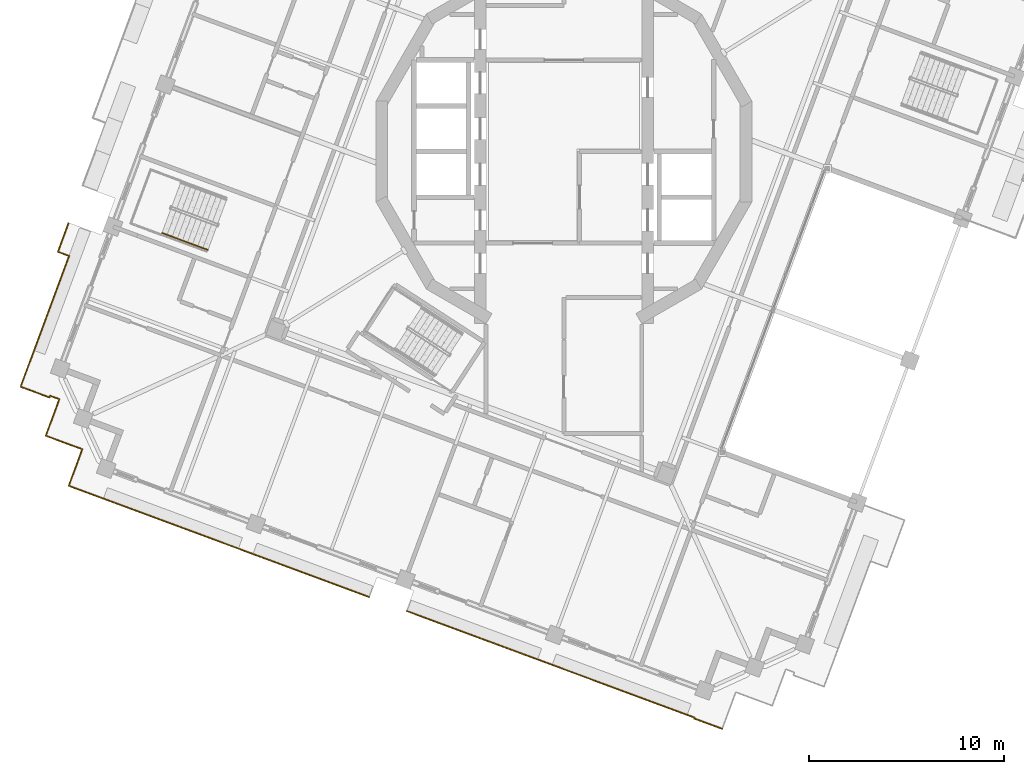
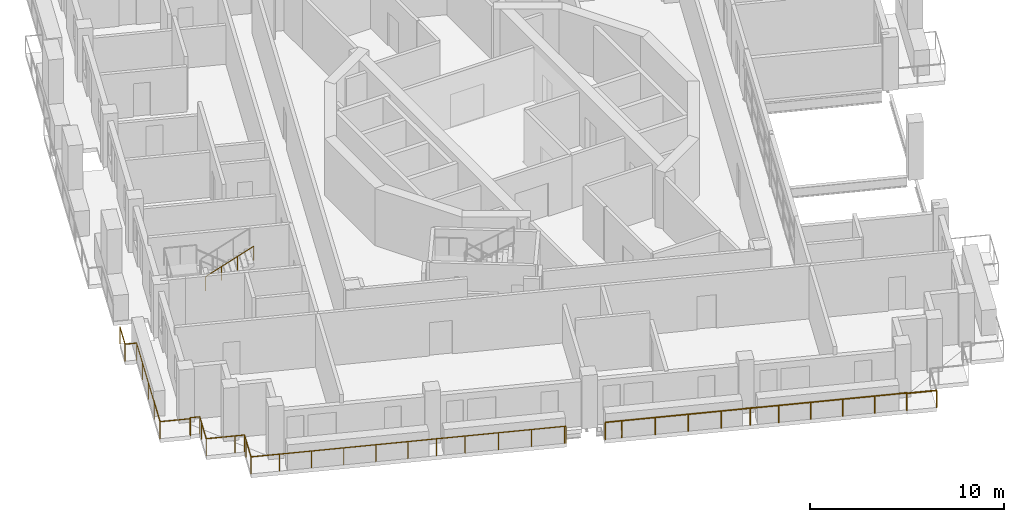
# One storey, part 13 of 19: 4 railings.
"""IFC4 building model written with IfcOpenShell, lengths in metres."""

from ifc_helpers import new_model, si_unit, direction, frame, origin, origin_2d, place, context, subcontext, project, spatial, circle, extrude, material, type_object, element, save


model = new_model("IFC4")

# Units and contexts
model_context = context("Model", 3, precision=1e-05, world=origin(), true_north=direction((0.0, 1.0)))
body_context = subcontext(model_context, "Body", "Model", "MODEL_VIEW")
ifc_project = project(units=[si_unit("LENGTHUNIT", "METRE"), si_unit("AREAUNIT", "SQUARE_METRE"), si_unit("VOLUMEUNIT", "CUBIC_METRE"), si_unit("PLANEANGLEUNIT", "RADIAN"), si_unit("MASSUNIT", "GRAM", prefix="KILO")], contexts=[model_context])

# Site, building, storey
site_placement = place(None, origin())
site = spatial("IfcSite", under=ifc_project, at=site_placement, CompositionType="ELEMENT")
building_placement = place(site_placement, origin())
building = spatial("IfcBuilding", under=site, at=building_placement, Name="Cantera Rosa Tower", CompositionType="ELEMENT")
storey_placement = place(building_placement, frame((0.0, 0.0, 331.300048828125)))
storey = spatial("IfcBuildingStorey", under=building, at=storey_placement, Name="L74", CompositionType="ELEMENT", Elevation=331.300048828125)

# Railings
ifc_material_1 = material(Name="Stainless steel and laminated glass", Category="steel")
railing_type_1 = type_object("IfcRailingType", Name="GUARD 1100", PredefinedType="BALUSTRADE", material=ifc_material_1)
railing_1_placement = place(storey_placement, frame((8.14208984375, -29.674072265625, 0.0)))
element("IfcRailing", 1, at=railing_1_placement, inside=storey, type_object=railing_type_1, Name="GUARD L74-1", PredefinedType="BALUSTRADE", context=body_context, shape_type="SweptSolid", body=[
    extrude(circle(Radius=0.030029296875, at=origin_2d()), frame((0.0, 0.0, 1.070068359375), z_axis=(-0.937710656911, 0.347417218795, 0.0), x_axis=(-0.347417218795, -0.937710656911, 0.0)), (0.0, 0.0, 1.0), 1.5458984375),
    extrude(circle(Radius=0.030029296875, at=origin_2d()), frame((-1.44970703125, 0.537109375, 1.070068359375), z_axis=(0.351123441588, 0.936329177569, 0.0), x_axis=(-0.936329177569, 0.351123441588, 0.0)), (0.0, 0.0, 1.0), 0.0458984375),
    extrude(circle(Radius=0.030029296875, at=origin_2d()), frame((-1.43359375, 0.580078125, 1.070068359375), z_axis=(-0.937686328856, 0.347482875373, 0.0), x_axis=(-0.347482875373, -0.937686328856, 0.0)), (0.0, 0.0, 1.0), 6.699951171875),
    extrude(circle(Radius=0.030029296875, at=origin_2d()), frame((-7.716064453125, 2.908203125, 1.070068359375), z_axis=(-0.93768985062, 0.347473371704, 0.0), x_axis=(-0.347473371704, -0.93768985062, 0.0)), (0.0, 0.0, 1.0), 3.000244140625),
    extrude(circle(Radius=0.030029296875, at=origin_2d()), frame((-10.529296875, 3.95068359375, 1.070068359375), z_axis=(-0.937688147358, 0.347477968085, 0.0), x_axis=(-0.347477968085, -0.937688147358, 0.0)), (0.0, 0.0, 1.0), 5.199951171875),
    extrude(circle(Radius=0.030029296875, at=origin_2d()), frame((-15.4052734375, 5.757568359375, 1.070068359375), z_axis=(-0.937694580373, 0.347460607753, 0.0), x_axis=(-0.347460607753, -0.937694580373, 0.0)), (0.0, 0.0, 1.0), 0.869873046875),
    extrude(circle(Radius=0.02490234375, at=origin_2d()), origin(), (0.0, 0.0, 1.0), 1.0400390625),
    extrude(circle(Radius=0.02490234375, at=origin_2d()), frame((-1.44970703125, 0.537109375, 0.0)), (0.0, 0.0, 1.0), 1.0400390625),
    extrude(circle(Radius=0.02490234375, at=origin_2d()), frame((-1.43359375, 0.580078125, 0.0)), (0.0, 0.0, 1.0), 1.0400390625),
    extrude(circle(Radius=0.02490234375, at=origin_2d()), frame((-3.004150390625, 1.162109375, 0.0)), (0.0, 0.0, 1.0), 1.0400390625),
    extrude(circle(Radius=0.02490234375, at=origin_2d()), frame((-4.57470703125, 1.744140625, 0.0)), (0.0, 0.0, 1.0), 1.0400390625),
    extrude(circle(Radius=0.02490234375, at=origin_2d()), frame((-6.1455078125, 2.326171875, 0.0)), (0.0, 0.0, 1.0), 1.0400390625),
    extrude(circle(Radius=0.02490234375, at=origin_2d()), frame((-7.716064453125, 2.908203125, 0.0)), (0.0, 0.0, 1.0), 1.0400390625),
    extrude(circle(Radius=0.02490234375, at=origin_2d()), frame((-9.12255859375, 3.429443359375, 0.0)), (0.0, 0.0, 1.0), 1.0400390625),
    extrude(circle(Radius=0.02490234375, at=origin_2d()), frame((-10.529296875, 3.95068359375, 0.0)), (0.0, 0.0, 1.0), 1.0400390625),
    extrude(circle(Radius=0.02490234375, at=origin_2d()), frame((-12.154541015625, 4.552978515625, 0.0)), (0.0, 0.0, 1.0), 1.0400390625),
    extrude(circle(Radius=0.02490234375, at=origin_2d()), frame((-13.780029296875, 5.1552734375, 0.0)), (0.0, 0.0, 1.0), 1.0400390625),
    extrude(circle(Radius=0.02490234375, at=origin_2d()), frame((-15.4052734375, 5.757568359375, 0.0)), (0.0, 0.0, 1.0), 1.0400390625),
    extrude(circle(Radius=0.02490234375, at=origin_2d()), frame((-16.220947265625, 6.059814453125, 0.0)), (0.0, 0.0, 1.0), 1.0400390625),
])
railing_2_placement = place(storey_placement, frame((-26.113525390625, -13.198486328125, 0.0)))
element("IfcRailing", 2, at=railing_2_placement, inside=storey, type_object=railing_type_1, Name="GUARD L74-3", PredefinedType="BALUSTRADE", context=body_context, shape_type="SweptSolid", body=[
    extrude(circle(Radius=0.030029296875, at=origin_2d()), frame((0.0, 0.0, 1.070068359375), z_axis=(0.347696042931, 0.937607306781, 0.0), x_axis=(-0.937607306781, 0.347696042931, 0.0)), (0.0, 0.0, 1.0), 0.5),
    extrude(circle(Radius=0.030029296875, at=origin_2d()), frame((0.173828125, 0.46875, 1.070068359375), z_axis=(-0.937607306781, 0.347696042931, 0.0), x_axis=(-0.347696042931, -0.937607306781, 0.0)), (0.0, 0.0, 1.0), 0.5),
    extrude(circle(Radius=0.030029296875, at=origin_2d()), frame((-0.294921875, 0.642578125, 1.070068359375), z_axis=(-0.348733712021, -0.937221851058, 0.0), x_axis=(0.937221851058, -0.348733712021, 0.0)), (0.0, 0.0, 1.0), 0.089599609375),
    extrude(circle(Radius=0.030029296875, at=origin_2d()), frame((-0.326171875, 0.55859375, 1.070068359375), z_axis=(-0.937704286129, 0.347434413632, 0.0), x_axis=(-0.347434413632, -0.937704286129, 0.0)), (0.0, 0.0, 1.0), 1.589599609375),
    extrude(circle(Radius=0.030029296875, at=origin_2d()), frame((-1.816650390625, 1.11083984375, 1.070068359375), z_axis=(0.347478495795, 0.937687951805, 0.0), x_axis=(-0.937687951805, 0.347478495795, 0.0)), (0.0, 0.0, 1.0), 7.16943359375),
    extrude(circle(Radius=0.030029296875, at=origin_2d()), frame((0.674560546875, 7.83349609375, 1.070068359375), z_axis=(-0.937734294908, 0.347353411029, 0.0), x_axis=(-0.347353411029, -0.937734294908, 0.0)), (0.0, 0.0, 1.0), 0.61083984375),
    extrude(circle(Radius=0.030029296875, at=origin_2d()), frame((0.101806640625, 8.045654296875, 1.070068359375), z_axis=(0.347491582396, 0.937683102207, 0.0), x_axis=(-0.937683102207, 0.347491582396, 0.0)), (0.0, 0.0, 1.0), 1.5703125),
    extrude(circle(Radius=0.02490234375, at=origin_2d()), origin(), (0.0, 0.0, 1.0), 1.0400390625),
    extrude(circle(Radius=0.02490234375, at=origin_2d()), frame((0.173828125, 0.46875, 0.0)), (0.0, 0.0, 1.0), 1.0400390625),
    extrude(circle(Radius=0.02490234375, at=origin_2d()), frame((-0.294921875, 0.642578125, 0.0)), (0.0, 0.0, 1.0), 1.0400390625),
    extrude(circle(Radius=0.02490234375, at=origin_2d()), frame((-0.326171875, 0.55859375, 0.0)), (0.0, 0.0, 1.0), 1.0400390625),
    extrude(circle(Radius=0.02490234375, at=origin_2d()), frame((-1.816650390625, 1.11083984375, 0.0)), (0.0, 0.0, 1.0), 1.0400390625),
    extrude(circle(Radius=0.02490234375, at=origin_2d()), frame((-1.19384765625, 2.79150390625, 0.0)), (0.0, 0.0, 1.0), 1.0400390625),
    extrude(circle(Radius=0.02490234375, at=origin_2d()), frame((-0.571044921875, 4.47216796875, 0.0)), (0.0, 0.0, 1.0), 1.0400390625),
    extrude(circle(Radius=0.02490234375, at=origin_2d()), frame((0.0517578125, 6.15283203125, 0.0)), (0.0, 0.0, 1.0), 1.0400390625),
    extrude(circle(Radius=0.02490234375, at=origin_2d()), frame((0.674560546875, 7.83349609375, 0.0)), (0.0, 0.0, 1.0), 1.0400390625),
    extrude(circle(Radius=0.02490234375, at=origin_2d()), frame((0.101806640625, 8.045654296875, 0.0)), (0.0, 0.0, 1.0), 1.0400390625),
    extrude(circle(Radius=0.02490234375, at=origin_2d()), frame((0.6474609375, 9.51806640625, 0.0)), (0.0, 0.0, 1.0), 1.0400390625),
])
railing_3_placement = place(storey_placement, frame((-10.010498046875, -22.8984375, 0.0)))
element("IfcRailing", 3, at=railing_3_placement, inside=storey, type_object=railing_type_1, Name="GUARD L74-4", PredefinedType="BALUSTRADE", context=body_context, shape_type="SweptSolid", body=[
    extrude(circle(Radius=0.030029296875, at=origin_2d()), frame((0.0, 0.0, 1.070068359375), z_axis=(-0.937327749542, 0.348448977525, 0.0), x_axis=(-0.348448977525, -0.937327749542, 0.0)), (0.0, 0.0, 1.0), 0.070068359375),
    extrude(circle(Radius=0.030029296875, at=origin_2d()), frame((-0.065673828125, 0.0244140625, 1.070068359375), z_axis=(-0.937688147358, 0.347477968085, 0.0), x_axis=(-0.347477968085, -0.937688147358, 0.0)), (0.0, 0.0, 1.0), 5.199951171875),
    extrude(circle(Radius=0.030029296875, at=origin_2d()), frame((-4.941650390625, 1.831298828125, 1.070068359375), z_axis=(-0.937680024402, 0.347499887537, 0.0), x_axis=(-0.347499887537, -0.937680024402, 0.0)), (0.0, 0.0, 1.0), 3.0),
    extrude(circle(Radius=0.030029296875, at=origin_2d()), frame((-7.754638671875, 2.873779296875, 1.070068359375), z_axis=(-0.937686328856, 0.347482875373, 0.0), x_axis=(-0.347482875373, -0.937686328856, 0.0)), (0.0, 0.0, 1.0), 6.699951171875),
    extrude(circle(Radius=0.030029296875, at=origin_2d()), frame((-14.037109375, 5.201904296875, 1.070068359375), z_axis=(-0.93769967459, 0.347446859641, 0.0), x_axis=(-0.347446859641, -0.93769967459, 0.0)), (0.0, 0.0, 1.0), 1.500244140625),
    extrude(circle(Radius=0.030029296875, at=origin_2d()), frame((-15.44384765625, 5.72314453125, 1.070068359375), z_axis=(0.347499887537, 0.937680024402, 0.0), x_axis=(-0.937680024402, 0.347499887537, 0.0)), (0.0, 0.0, 1.0), 1.5),
    extrude(circle(Radius=0.030029296875, at=origin_2d()), frame((-14.922607421875, 7.129638671875, 1.070068359375), z_axis=(0.347696042931, 0.937607306781, 0.0), x_axis=(-0.937607306781, 0.347696042931, 0.0)), (0.0, 0.0, 1.0), 0.5),
    extrude(circle(Radius=0.030029296875, at=origin_2d()), frame((-14.748779296875, 7.598388671875, 1.070068359375), z_axis=(-0.937607306781, 0.347696042931, 0.0), x_axis=(-0.347696042931, -0.937607306781, 0.0)), (0.0, 0.0, 1.0), 0.5),
    extrude(circle(Radius=0.030029296875, at=origin_2d()), frame((-15.217529296875, 7.772216796875, 1.070068359375), z_axis=(-0.93769967459, 0.347446859641, 0.0), x_axis=(-0.347446859641, -0.93769967459, 0.0)), (0.0, 0.0, 1.0), 1.500244140625),
    extrude(circle(Radius=0.030029296875, at=origin_2d()), frame((-16.624267578125, 8.29345703125, 1.070068359375), z_axis=(0.347499887537, 0.937680024402, 0.0), x_axis=(-0.937680024402, 0.347499887537, 0.0)), (0.0, 0.0, 1.0), 1.5),
    extrude(circle(Radius=0.02490234375, at=origin_2d()), origin(), (0.0, 0.0, 1.0), 1.0400390625),
    extrude(circle(Radius=0.02490234375, at=origin_2d()), frame((-0.065673828125, 0.0244140625, 0.0)), (0.0, 0.0, 1.0), 1.0400390625),
    extrude(circle(Radius=0.02490234375, at=origin_2d()), frame((-1.69091796875, 0.626708984375, 0.0)), (0.0, 0.0, 1.0), 1.0400390625),
    extrude(circle(Radius=0.02490234375, at=origin_2d()), frame((-3.31640625, 1.22900390625, 0.0)), (0.0, 0.0, 1.0), 1.0400390625),
    extrude(circle(Radius=0.02490234375, at=origin_2d()), frame((-4.941650390625, 1.831298828125, 0.0)), (0.0, 0.0, 1.0), 1.0400390625),
    extrude(circle(Radius=0.02490234375, at=origin_2d()), frame((-6.34814453125, 2.3525390625, 0.0)), (0.0, 0.0, 1.0), 1.0400390625),
    extrude(circle(Radius=0.02490234375, at=origin_2d()), frame((-7.754638671875, 2.873779296875, 0.0)), (0.0, 0.0, 1.0), 1.0400390625),
    extrude(circle(Radius=0.02490234375, at=origin_2d()), frame((-9.3251953125, 3.455810546875, 0.0)), (0.0, 0.0, 1.0), 1.0400390625),
    extrude(circle(Radius=0.02490234375, at=origin_2d()), frame((-10.89599609375, 4.037841796875, 0.0)), (0.0, 0.0, 1.0), 1.0400390625),
    extrude(circle(Radius=0.02490234375, at=origin_2d()), frame((-12.466552734375, 4.619873046875, 0.0)), (0.0, 0.0, 1.0), 1.0400390625),
    extrude(circle(Radius=0.02490234375, at=origin_2d()), frame((-14.037109375, 5.201904296875, 0.0)), (0.0, 0.0, 1.0), 1.0400390625),
    extrude(circle(Radius=0.02490234375, at=origin_2d()), frame((-15.44384765625, 5.72314453125, 0.0)), (0.0, 0.0, 1.0), 1.0400390625),
    extrude(circle(Radius=0.02490234375, at=origin_2d()), frame((-14.922607421875, 7.129638671875, 0.0)), (0.0, 0.0, 1.0), 1.0400390625),
    extrude(circle(Radius=0.02490234375, at=origin_2d()), frame((-14.748779296875, 7.598388671875, 0.0)), (0.0, 0.0, 1.0), 1.0400390625),
    extrude(circle(Radius=0.02490234375, at=origin_2d()), frame((-15.217529296875, 7.772216796875, 0.0)), (0.0, 0.0, 1.0), 1.0400390625),
    extrude(circle(Radius=0.02490234375, at=origin_2d()), frame((-16.624267578125, 8.29345703125, 0.0)), (0.0, 0.0, 1.0), 1.0400390625),
    extrude(circle(Radius=0.02490234375, at=origin_2d()), frame((-16.10302734375, 9.699951171875, 0.0)), (0.0, 0.0, 1.0), 1.0400390625),
])
ifc_material_2 = material(Name="Steel S355J2 (EN 10025-2)", Category="steel")
railing_type_2 = type_object("IfcRailingType", Name="STAIR HANDRAIL 900", PredefinedType="HANDRAIL", material=ifc_material_2)
railing_4_placement = place(storey_placement, frame((-20.660400390625, -4.181396484375, 1.97998046875)))
element("IfcRailing", 4, at=railing_4_placement, inside=storey, type_object=railing_type_2, Name="L74 ST-63 stair handrail 2", PredefinedType="HANDRAIL", context=body_context, shape_type="SweptSolid", body=[
    extrude(circle(Radius=0.02392578125, at=origin_2d()), frame((0.0, 0.0, 0.8759765625), z_axis=(0.78878233546, -0.292319685639, 0.540713998944), x_axis=(0.347500508527, 0.937679794265, 0.0)), (0.0, 0.0, 1.0), 2.995849609375),
    extrude(circle(Radius=0.02099609375, at=origin_2d()), origin(), (0.0, 0.0, 1.0), 0.851806640625),
    extrude(circle(Radius=0.02099609375, at=origin_2d()), frame((0.78759765625, -0.2919921875, 0.5400390625)), (0.0, 0.0, 1.0), 0.851806640625),
    extrude(circle(Radius=0.02099609375, at=origin_2d()), frame((1.575439453125, -0.583740234375, 1.079833984375)), (0.0, 0.0, 1.0), 0.851806640625),
    extrude(circle(Radius=0.02099609375, at=origin_2d()), frame((2.363037109375, -0.875732421875, 1.619873046875)), (0.0, 0.0, 1.0), 0.851806640625),
])

save(model, "model.ifc")
